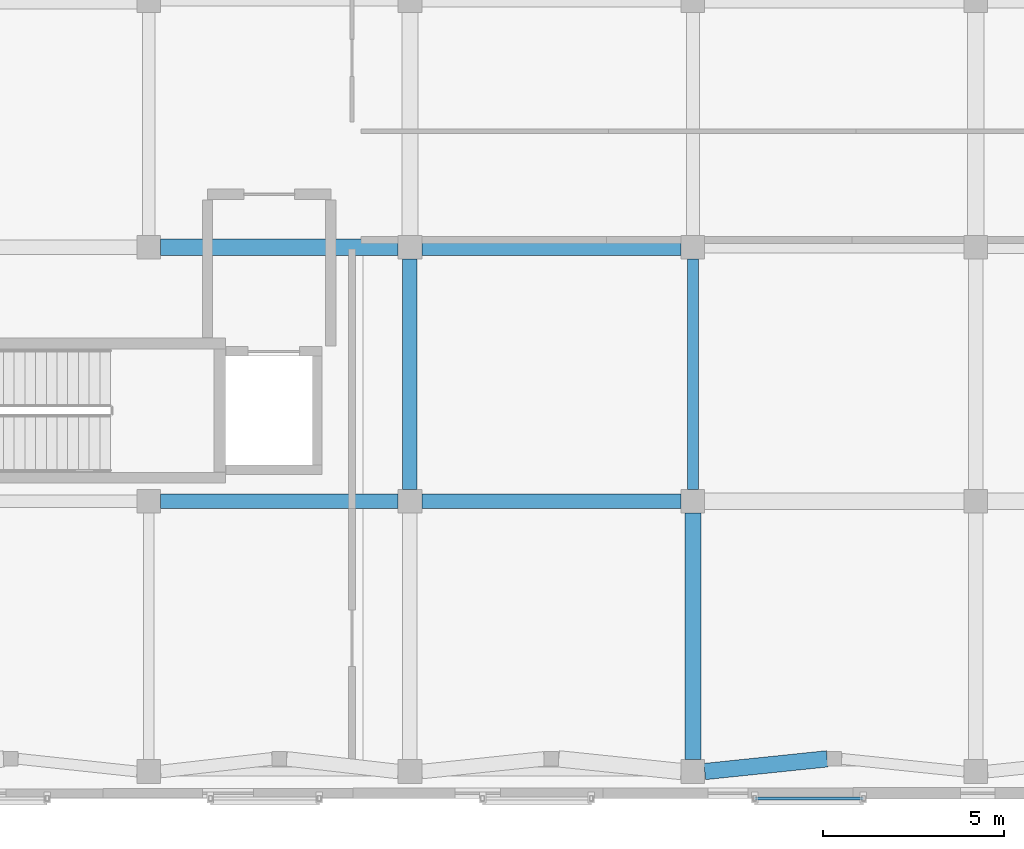
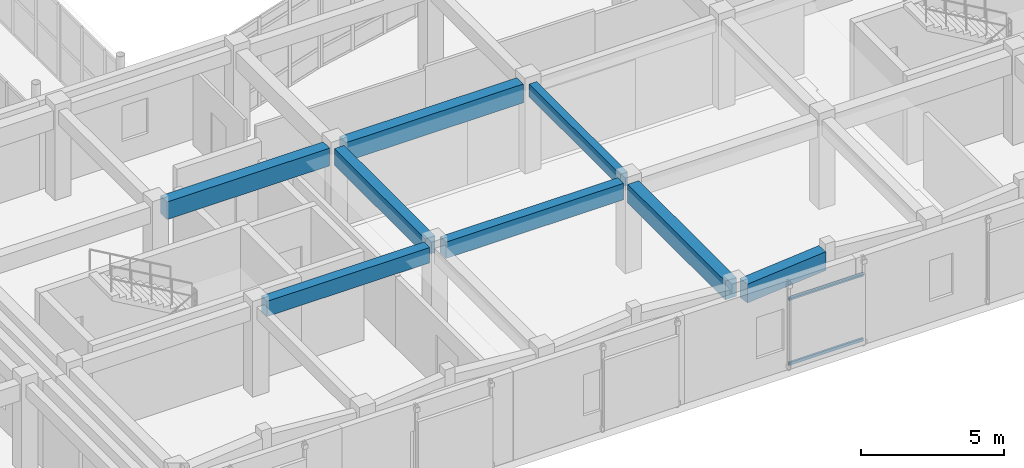
# One storey, part 49 of 146: 8 beams, 2 members.
"""IFC4 building model written with IfcOpenShell, lengths in metres."""

from ifc_helpers import new_model, si_unit, direction, frame, origin, origin_2d, place, context, subcontext, project, spatial, rectangle, hollow_rectangle, extrude, material, material_profile, profile_set, type_object, element, save


model = new_model("IFC4")

# Units and contexts
model_context = context("Model", 3, precision=1e-05, world=origin(), true_north=direction((0.0, 1.0)))
body_context = subcontext(model_context, "Body", "Model", "MODEL_VIEW")
ifc_project = project(units=[si_unit("LENGTHUNIT", "METRE"), si_unit("AREAUNIT", "SQUARE_METRE"), si_unit("VOLUMEUNIT", "CUBIC_METRE"), si_unit("PLANEANGLEUNIT", "RADIAN"), si_unit("MASSUNIT", "GRAM", prefix="KILO")], contexts=[model_context])

# Site, building, storey
site_placement = place(None, origin())
site = spatial("IfcSite", under=ifc_project, at=site_placement, CompositionType="ELEMENT")
building_placement = place(site_placement, origin())
building = spatial("IfcBuilding", under=site, at=building_placement, Name="Valcora Specialist Clinic", CompositionType="ELEMENT")
storey_placement = place(building_placement, frame((0.0, 0.0, 9.52001953125)))
storey = spatial("IfcBuildingStorey", under=building, at=storey_placement, Name="L02", CompositionType="ELEMENT", Elevation=9.52001953125)

# Beams
ifc_material_1 = material(Name="Concrete C40/50", Category="concrete")
ifc_material_profile_1 = material_profile(ifc_material_1, rectangle(XDim=0.300048828125, YDim=0.550048828125, at=origin_2d()), Name="RC-BM-300X550")
ifc_profile_set_1 = profile_set([ifc_material_profile_1], Name="Concrete C40/50")
beam_type_1 = type_object("IfcBeamType", Name="TY-BM-RC300X550", PredefinedType="BEAM", material=ifc_profile_set_1)
beam_1_placement = place(storey_placement, frame((76.800048828125, 8.52490234375, 3.5048828125), z_axis=(0.0, 1.0, 0.0), x_axis=(-1.0, 0.0, 0.0)))
element("IfcBeam", 1, at=beam_1_placement, inside=storey, type_object=beam_type_1, Name="Beam BM-L02-1403", PredefinedType="BEAM", context=body_context, shape_type="SweptSolid", body=[
    extrude(rectangle(XDim=0.300048828125, YDim=0.550048828125, at=origin_2d()), origin(), (0.0, 0.0, 1.0), 6.35009765625),
])
ifc_material_profile_2 = material_profile(ifc_material_1, rectangle(XDim=0.39990234375, YDim=0.64990234375, at=origin_2d()), Name="RC-BM-400X650")
ifc_profile_set_2 = profile_set([ifc_material_profile_2], Name="Concrete C40/50")
beam_type_2 = type_object("IfcBeamType", Name="TY-BM-RC400X650", PredefinedType="BEAM", material=ifc_profile_set_2)
beam_2_placement = place(storey_placement, frame((62.125, 8.199951171875, 3.455078125), z_axis=(1.0, 0.0, 0.0), x_axis=(0.0, 1.0, 0.0)))
element("IfcBeam", 2, at=beam_2_placement, inside=storey, type_object=beam_type_2, Name="Beam BM-L02-1371", PredefinedType="BEAM", context=body_context, shape_type="SweptSolid", body=[
    extrude(rectangle(XDim=0.39990234375, YDim=0.64990234375, at=origin_2d()), origin(), (0.0, 0.0, 1.0), 6.550048828125),
])
ifc_material_profile_3 = material_profile(ifc_material_1, rectangle(XDim=0.39990234375, YDim=0.699951171875, at=origin_2d()), Name="RC-BM-400X700")
ifc_profile_set_3 = profile_set([ifc_material_profile_3], Name="Concrete C40/50")
beam_type_3 = type_object("IfcBeamType", Name="TY-BM-RC400X700", PredefinedType="BEAM", material=ifc_profile_set_3)
beam_3_placement = place(storey_placement, frame((69.324951171875, 8.199951171875, 3.429931640625), z_axis=(1.0, 0.0, 0.0), x_axis=(0.0, 1.0, 0.0)))
element("IfcBeam", 3, at=beam_3_placement, inside=storey, type_object=beam_type_3, Name="Beam BM-L02-1372", PredefinedType="BEAM", context=body_context, shape_type="SweptSolid", body=[
    extrude(rectangle(XDim=0.39990234375, YDim=0.699951171875, at=origin_2d()), origin(), (0.0, 0.0, 1.0), 7.150146484375),
])
beam_4_placement = place(storey_placement, frame((69.0, 8.52490234375, 3.429931640625), z_axis=(0.0, 1.0, 0.0), x_axis=(-1.0, 0.0, 0.0)))
element("IfcBeam", 4, at=beam_4_placement, inside=storey, type_object=beam_type_3, Name="Beam BM-L02-1400", PredefinedType="BEAM", context=body_context, shape_type="SweptSolid", body=[
    extrude(rectangle(XDim=0.39990234375, YDim=0.699951171875, at=origin_2d()), origin(), (0.0, 0.0, 1.0), 6.35009765625),
])
ifc_material_profile_4 = material_profile(ifc_material_1, rectangle(XDim=0.449951171875, YDim=0.75, at=origin_2d()), Name="RC-BM-450X750")
ifc_profile_set_4 = profile_set([ifc_material_profile_4], Name="Concrete C40/50")
beam_type_4 = type_object("IfcBeamType", Name="TY-BM-RC450X750", PredefinedType="BEAM", material=ifc_profile_set_4)
beam_5_placement = place(storey_placement, frame((62.125, 15.199951171875, 3.405029296875), z_axis=(1.0, 0.0, 0.0), x_axis=(0.0, 1.0, 0.0)))
element("IfcBeam", 5, at=beam_5_placement, inside=storey, type_object=beam_type_4, Name="Beam BM-L02-1379", PredefinedType="BEAM", context=body_context, shape_type="SweptSolid", body=[
    extrude(rectangle(XDim=0.449951171875, YDim=0.75, at=origin_2d()), origin(), (0.0, 0.0, 1.0), 6.550048828125),
])
ifc_material_profile_5 = material_profile(ifc_material_1, rectangle(XDim=0.449951171875, YDim=0.800048828125, at=origin_2d()), Name="RC-BM-450X800")
ifc_profile_set_5 = profile_set([ifc_material_profile_5], Name="Concrete C40/50")
beam_type_5 = type_object("IfcBeamType", Name="TY-BM-RC450X800", PredefinedType="BEAM", material=ifc_profile_set_5)
beam_6_placement = place(storey_placement, frame((77.125, 0.75, 3.3798828125), z_axis=(0.994662804408, 0.103178997506, 0.0), x_axis=(-0.103178997506, 0.994662804408, 0.0)))
element("IfcBeam", 6, at=beam_6_placement, inside=storey, type_object=beam_type_5, Name="Beam BM-L02-1362", PredefinedType="BEAM", context=body_context, shape_type="SweptSolid", body=[
    extrude(rectangle(XDim=0.449951171875, YDim=0.800048828125, at=origin_2d()), origin(), (0.0, 0.0, 1.0), 3.39306640625),
])
beam_7_placement = place(storey_placement, frame((69.324951171875, 15.199951171875, 3.3798828125), z_axis=(1.0, 0.0, 0.0), x_axis=(0.0, 1.0, 0.0)))
element("IfcBeam", 7, at=beam_7_placement, inside=storey, type_object=beam_type_5, Name="Beam BM-L02-1380", PredefinedType="BEAM", context=body_context, shape_type="SweptSolid", body=[
    extrude(rectangle(XDim=0.449951171875, YDim=0.800048828125, at=origin_2d()), origin(), (0.0, 0.0, 1.0), 7.150146484375),
])
beam_8_placement = place(storey_placement, frame((76.800048828125, 1.074951171875, 3.3798828125), z_axis=(0.0, 1.0, 0.0), x_axis=(-1.0, 0.0, 0.0)))
element("IfcBeam", 8, at=beam_8_placement, inside=storey, type_object=beam_type_5, Name="Beam BM-L02-1402", PredefinedType="BEAM", context=body_context, shape_type="SweptSolid", body=[
    extrude(rectangle(XDim=0.449951171875, YDim=0.800048828125, at=origin_2d()), origin(), (0.0, 0.0, 1.0), 6.800048828125),
])

# Members
ifc_material_2 = material(Name="Steel ASTM A500 Grade C", Category="steel")
ifc_material_profile_6 = material_profile(ifc_material_2, hollow_rectangle(XDim=0.080078125, YDim=0.1201171875, WallThickness=0.0048828125, at=origin_2d()), Name="ST-RHS-120X80X5")
ifc_profile_set_6 = profile_set([ifc_material_profile_6], Name="Steel ASTM A500 Grade C")
member_type = type_object("IfcMemberType", Name="TY-MB-SFRAIL", PredefinedType="STRINGER", material=ifc_profile_set_6)
for number, where, z_axis, x_axis, name in (
    (9, (78.5, 0.010009765625, 0.239990234375), (1.0, 0.0, 0.0), (0.0, 1.0, 0.0), "Brick screen carrier rail 111"),
    (10, (78.5, 0.010009765625, 3.0), (1.0, 0.0, 0.0), (0.0, 1.0, 0.0), "Brick screen carrier rail 112"),
):
    element("IfcMember", number, at=place(storey_placement, frame(where, z_axis=z_axis, x_axis=x_axis)), inside=storey, type_object=member_type, Name=name, PredefinedType="STRINGER", context=body_context, shape_type="SweptSolid", body=[
        extrude(hollow_rectangle(XDim=0.080078125, YDim=0.1201171875, WallThickness=0.0048828125, at=origin_2d()), origin(), (0.0, 0.0, 1.0), 3.0),
    ])

save(model, "model.ifc")
